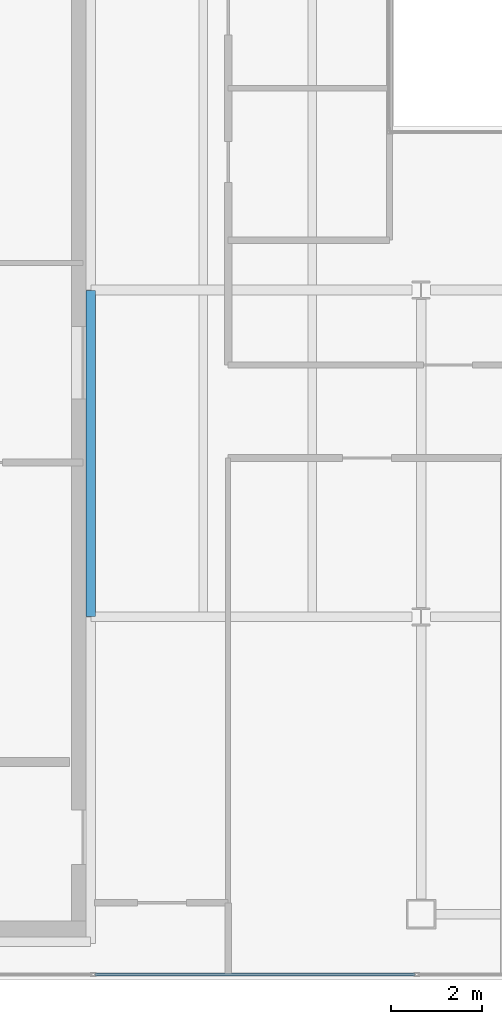
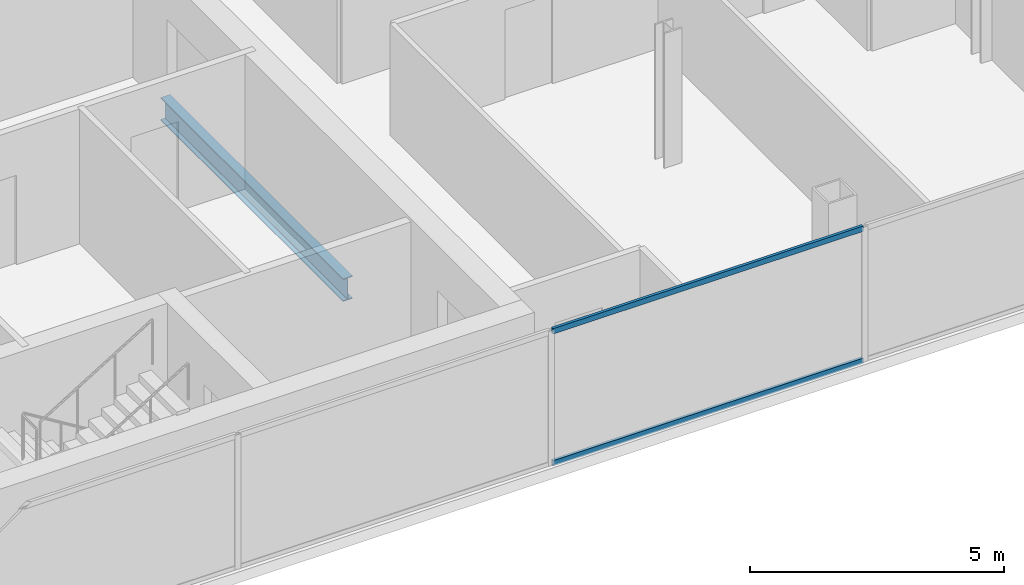
# One storey, part 4 of 23: 2 members, 1 beam, 1 element without a shape of its own.
"""IFC4 building model written with IfcOpenShell, lengths in metres."""

from ifc_helpers import new_model, si_unit, direction, frame, origin, origin_2d, place, context, subcontext, project, spatial, hollow_rectangle, i_section, extrude, material, material_profile, profile_set, type_object, element, aggregate, save


model = new_model("IFC4")

# Units and contexts
model_context = context("Model", 3, precision=1e-05, world=origin(), true_north=direction((0.0, 1.0)))
body_context = subcontext(model_context, "Body", "Model", "MODEL_VIEW")
ifc_project = project(units=[si_unit("LENGTHUNIT", "METRE"), si_unit("AREAUNIT", "SQUARE_METRE"), si_unit("VOLUMEUNIT", "CUBIC_METRE"), si_unit("PLANEANGLEUNIT", "RADIAN"), si_unit("MASSUNIT", "GRAM", prefix="KILO")], contexts=[model_context])

# Site, building, storey
site_placement = place(None, origin())
site = spatial("IfcSite", under=ifc_project, at=site_placement, CompositionType="ELEMENT")
building_placement = place(site_placement, origin())
building = spatial("IfcBuilding", under=site, at=building_placement, Name="Cobrela Telecom Tower", CompositionType="ELEMENT")
storey_placement = place(building_placement, frame((0.0, 0.0, 265.64990234375)))
storey = spatial("IfcBuildingStorey", under=building, at=storey_placement, Name="L69", CompositionType="ELEMENT", Elevation=265.64990234375)

# Beam
ifc_material_1 = material(Name="Steel ASTM A992 Grade 50", Category="steel")
ifc_material_profile_1 = material_profile(ifc_material_1, i_section(OverallWidth=0.212890625, OverallDepth=0.549072265625, WebThickness=0.0146484375, FlangeThickness=0.023681640625, FilletRadius=0.013916015625, at=origin_2d()), Name="W21X93")
ifc_profile_set_1 = profile_set([ifc_material_profile_1], Name="Steel ASTM A992 Grade 50")
beam_type = type_object("IfcBeamType", Name="BM-GIRD-08", PredefinedType="USERDEFINED", material=ifc_profile_set_1)
beam_placement = place(storey_placement, frame((14.320068359375, 14.405029296875, -0.534423828125), z_axis=(0.0, 1.0, 0.0), x_axis=(-1.0, 0.0, 0.0)))
element("IfcBeam", 1, at=beam_placement, inside=storey, type_object=beam_type, Name="L69 Primary Girder Y22", ObjectType="GIRDER", PredefinedType="USERDEFINED", context=body_context, shape_type="SweptSolid", body=[
    extrude(i_section(OverallWidth=0.212890625, OverallDepth=0.549072265625, WebThickness=0.0146484375, FlangeThickness=0.023681640625, FilletRadius=0.013916015625, at=origin_2d()), origin(), (0.0, 0.0, 1.0), 7.18994140625),
])

# Curtain wall, members
ifc_material_2 = material(Name="Anodized Bronze Aluminium 6063-T6", Category="aluminium")
curtain_wall_type = type_object("IfcCurtainWallType", Name="CW-SYS-OFF-HI", PredefinedType="USERDEFINED", material=ifc_material_2)
curtain_wall_placement = place(storey_placement, origin())
curtain_wall = element("IfcCurtainWall", 2, at=curtain_wall_placement, inside=storey, type_object=curtain_wall_type, Name="L69 Unitised Bronze Curtain Wall 15", ObjectType="UNITISED CURTAIN WALL", PredefinedType="USERDEFINED")
ifc_material_profile_2 = material_profile(ifc_material_2, hollow_rectangle(XDim=0.06494140625, YDim=0.1298828125, WallThickness=0.00390625, at=origin_2d()), Name="ALU 65x130x4")
ifc_profile_set_2 = profile_set([ifc_material_profile_2], Name="Anodized Bronze Aluminium 6063-T6")
member_type = type_object("IfcMemberType", Name="CW-SYS-OFF-HI-TRN", PredefinedType="USERDEFINED", material=ifc_profile_set_2)
member_1_placement = place(storey_placement, frame((21.469970703125, 6.52001953125, 0.03271484375), z_axis=(-1.0, 0.0, 0.0), x_axis=(0.0, -1.0, 0.0)))
member_1 = element("IfcMember", 3, at=member_1_placement, type_object=member_type, Name="CW-OFF-HI transom 4.1", ObjectType="TRANSOM", PredefinedType="USERDEFINED", context=body_context, shape_type="SweptSolid", body=[
    extrude(hollow_rectangle(XDim=0.06494140625, YDim=0.1298828125, WallThickness=0.00390625, at=origin_2d()), origin(), (0.0, 0.0, 1.0), 7.058349609375),
])
member_2_placement = place(storey_placement, frame((21.469970703125, 6.52001953125, 3.20751953125), z_axis=(-1.0, 0.0, 0.0), x_axis=(0.0, -1.0, 0.0)))
member_2 = element("IfcMember", 4, at=member_2_placement, type_object=member_type, Name="CW-OFF-HI transom 4.2", ObjectType="TRANSOM", PredefinedType="USERDEFINED", context=body_context, shape_type="SweptSolid", body=[
    extrude(hollow_rectangle(XDim=0.06494140625, YDim=0.1298828125, WallThickness=0.00390625, at=origin_2d()), origin(), (0.0, 0.0, 1.0), 7.058349609375),
])
aggregate(curtain_wall, [member_1, member_2])

save(model, "model.ifc")
